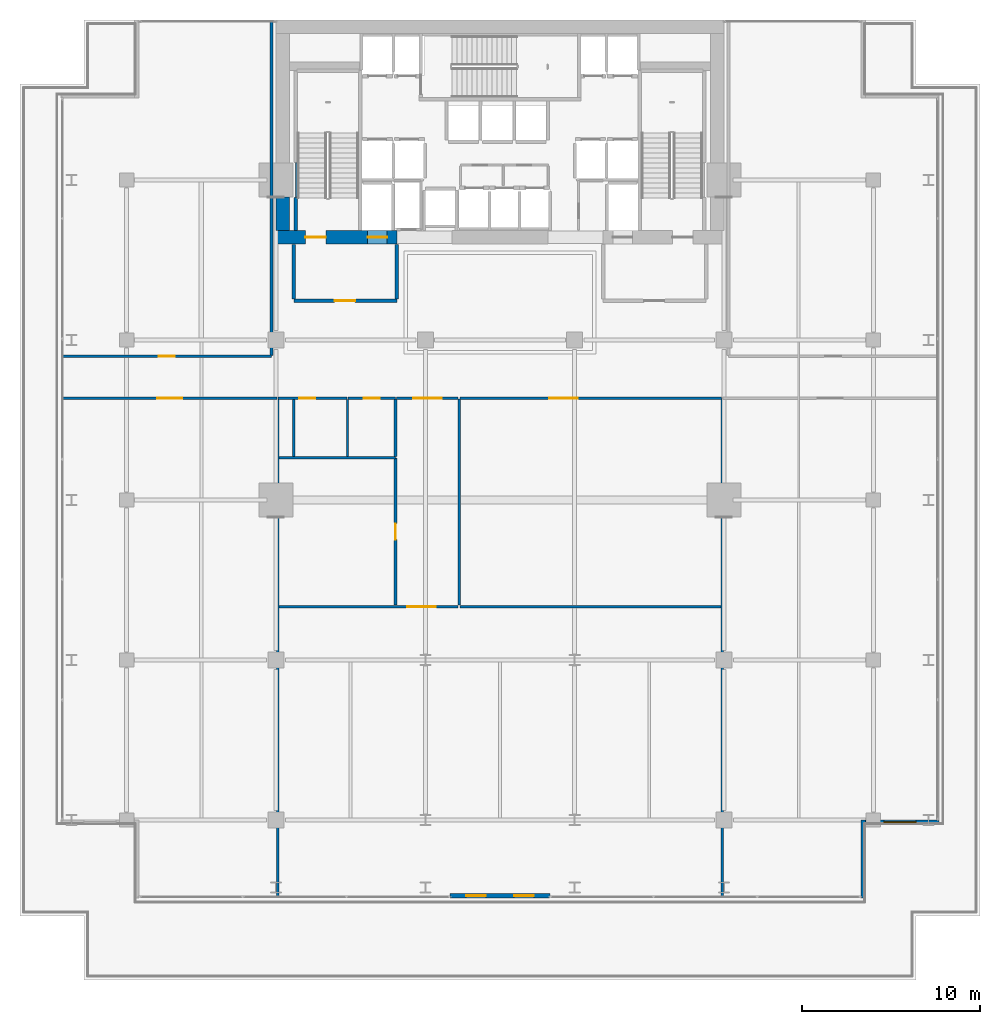
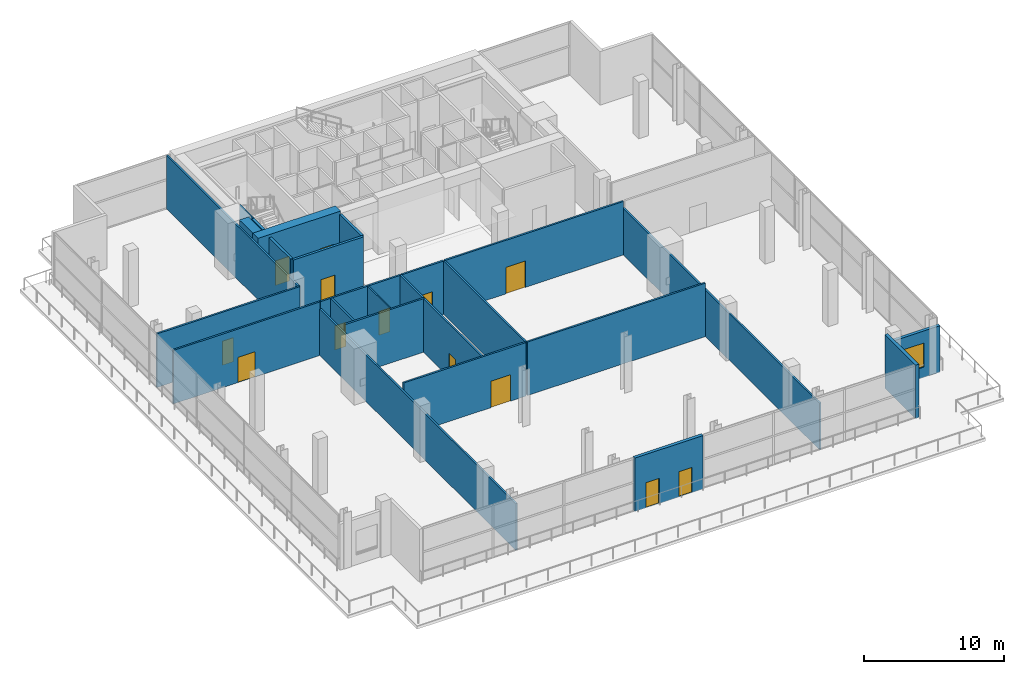
# One storey, part 24 of 31: 27 walls, 13 doors, 1 window, 14 openings.
"""IFC4 building model written with IfcOpenShell, lengths in metres."""

from ifc_helpers import new_model, si_unit, direction, frame, frame_2d, origin, place, context, subcontext, project, spatial, rectangle, extrude, material, layer, layer_set, type_object, element, fill, save


model = new_model("IFC4")

# Units and contexts
model_context = context("Model", 3, precision=1e-05, world=origin(), true_north=direction((0.0, 1.0)))
body_context = subcontext(model_context, "Body", "Model", "MODEL_VIEW")
ifc_project = project(units=[si_unit("LENGTHUNIT", "METRE"), si_unit("AREAUNIT", "SQUARE_METRE"), si_unit("VOLUMEUNIT", "CUBIC_METRE"), si_unit("PLANEANGLEUNIT", "RADIAN"), si_unit("MASSUNIT", "GRAM", prefix="KILO")], contexts=[model_context])

# Site, building, storey
site_placement = place(None, origin())
site = spatial("IfcSite", under=ifc_project, at=site_placement, CompositionType="ELEMENT")
building_placement = place(site_placement, origin())
building = spatial("IfcBuilding", under=site, at=building_placement, Name="Maruvema Waterfront Hotel and Observation Tower", CompositionType="ELEMENT")
storey_placement = place(building_placement, frame((0.0, 0.0, 122.5)))
storey = spatial("IfcBuildingStorey", under=building, at=storey_placement, Name="L29", CompositionType="ELEMENT", Elevation=122.5)

# Wall, opening, door
ifc_material_1 = material(Name="Twin-stud acoustic gypsum drywall", Category="gypsum")
ifc_layer_1 = layer(ifc_material_1, 0.14990234375, Name="Acoustic Corridor and Suite Demising Wall 150 mm")
ifc_layer_set_1 = layer_set([ifc_layer_1], Name="Twin-stud acoustic gypsum drywall")
wall_type_1 = type_object("IfcWallType", Name="Acoustic Corridor and Suite Demising Wall 150 mm", PredefinedType="PARTITIONING", material=ifc_layer_set_1)
wall_1_placement = place(storey_placement, frame((25.300048828125, 32.719970703125, 0.0), z_axis=(0.0, 0.0, 1.0), x_axis=(1.0, 0.0, 0.0)))
wall_1 = element("IfcWall", 1, at=wall_1_placement, inside=storey, type_object=wall_type_1, Name="L29 L29 Public WC North 017", PredefinedType="PARTITIONING", context=body_context, shape_type="SweptSolid", body=[
    extrude(rectangle(XDim=3.8798828125, YDim=0.14990234375, at=frame_2d((1.93994140625, 0.0))), origin(), (0.0, 0.0, 1.0), 4.659912109375),
])
opening_1_placement = place(wall_1_placement, frame((1.199951171875, 0.0, 0.0)))
opening_1 = element("IfcOpeningElement", 2, at=opening_1_placement, cuts=wall_1, Name="Opening DR-090", PredefinedType="OPENING", context=body_context, shape_type="SweptSolid", body=[
    extrude(rectangle(XDim=0.89990234375, YDim=2.10009765625, at=frame_2d((0.449951171875, 1.050048828125))), frame((0.0, 0.0849609375, 0.0), z_axis=(0.0, -1.0, 0.0), x_axis=(1.0, 0.0, 0.0)), (0.0, 0.0, 1.0), 0.169921875),
])
ifc_material_2 = material(Name="Solid-core lacquered timber leaf", Category="wood")
door_type_1 = type_object("IfcDoorType", Name="Accessible Toilet and Room Door 900x2100 mm", OperationType="NOTDEFINED", PredefinedType="DOOR", material=ifc_material_2)
door_1_placement = place(opening_1_placement, origin())
door_1 = element("IfcDoor", 3, at=door_1_placement, inside=storey, type_object=door_type_1, Name="L29 Public Toilet Door", OperationType="SINGLE_SWING_LEFT", OverallHeight=2.10009765625, OverallWidth=0.89990234375, PredefinedType="DOOR", context=body_context, shape_type="SweptSolid", body=[
    extrude(rectangle(XDim=0.89990234375, YDim=2.10009765625, at=frame_2d((0.449951171875, 1.050048828125))), frame((0.0, 0.02490234375, 0.0), z_axis=(0.0, -1.0, 0.0), x_axis=(1.0, 0.0, 0.0)), (0.0, 0.0, 1.0), 0.050048828125),
])
fill(opening_1, door_1)

wall_2_placement = place(storey_placement, frame((29.260009765625, 32.719970703125, 0.0), z_axis=(0.0, 0.0, 1.0), x_axis=(1.0, 0.0, 0.0)))
wall_2 = element("IfcWall", 4, at=wall_2_placement, inside=storey, type_object=wall_type_1, Name="L29 L29 Acc WC North 018", PredefinedType="PARTITIONING", context=body_context, shape_type="SweptSolid", body=[
    extrude(rectangle(XDim=2.659912109375, YDim=0.14990234375, at=frame_2d((1.330078125, 0.0))), origin(), (0.0, 0.0, 1.0), 4.659912109375),
])
opening_2_placement = place(wall_2_placement, frame((0.8798828125, 0.0, 0.0)))
opening_2 = element("IfcOpeningElement", 5, at=opening_2_placement, cuts=wall_2, Name="Opening DR-090", PredefinedType="OPENING", context=body_context, shape_type="SweptSolid", body=[
    extrude(rectangle(XDim=0.89990234375, YDim=2.10009765625, at=frame_2d((0.449951171875, 1.050048828125))), frame((0.0, 0.0849609375, 0.0), z_axis=(0.0, -1.0, 0.0), x_axis=(1.0, 0.0, 0.0)), (0.0, 0.0, 1.0), 0.169921875),
])
door_2_placement = place(opening_2_placement, origin())
door_2 = element("IfcDoor", 6, at=door_2_placement, inside=storey, type_object=door_type_1, Name="L29 Accessible WC Door", OperationType="SINGLE_SWING_RIGHT", OverallHeight=2.10009765625, OverallWidth=0.89990234375, PredefinedType="DOOR", context=body_context, shape_type="SweptSolid", body=[
    extrude(rectangle(XDim=0.89990234375, YDim=2.10009765625, at=frame_2d((0.449951171875, 1.050048828125))), frame((0.0, 0.02490234375, 0.0), z_axis=(0.0, -1.0, 0.0), x_axis=(1.0, 0.0, 0.0)), (0.0, 0.0, 1.0), 0.050048828125),
])
fill(opening_2, door_2)

# Walls
wall_3_placement = place(storey_placement, frame((25.3798828125, 29.3798828125, 0.0), z_axis=(0.0, 0.0, 1.0), x_axis=(1.0, 0.0, 0.0)))
element("IfcWall", 7, at=wall_3_placement, inside=storey, type_object=wall_type_1, Name="L29 L29 WC South 019", PredefinedType="PARTITIONING", context=body_context, shape_type="SweptSolid", body=[
    extrude(rectangle(XDim=6.5400390625, YDim=0.14990234375, at=frame_2d((3.27001953125, 0.0))), origin(), (0.0, 0.0, 1.0), 4.659912109375),
])
wall_4_placement = place(storey_placement, frame((26.199951171875, 29.4599609375, 0.0), z_axis=(0.0, 0.0, 1.0), x_axis=(0.0, 1.0, 0.0)))
element("IfcWall", 8, at=wall_4_placement, inside=storey, type_object=wall_type_1, Name="L29 L29 WC West 020", PredefinedType="PARTITIONING", context=body_context, shape_type="SweptSolid", body=[
    extrude(rectangle(XDim=3.179931640625, YDim=0.14990234375, at=frame_2d((1.58984375, 0.0))), origin(), (0.0, 0.0, 1.0), 4.659912109375),
])
wall_5_placement = place(storey_placement, frame((31.919921875, 29.4599609375, 0.0), z_axis=(0.0, 0.0, 1.0), x_axis=(0.0, 1.0, 0.0)))
element("IfcWall", 9, at=wall_5_placement, inside=storey, type_object=wall_type_1, Name="L29 L29 WC East 022", PredefinedType="PARTITIONING", context=body_context, shape_type="SweptSolid", body=[
    extrude(rectangle(XDim=3.219970703125, YDim=0.14990234375, at=frame_2d((1.60986328125, 0.0))), origin(), (0.0, 0.0, 1.0), 4.659912109375),
])

# Wall, opening, door
wall_6_placement = place(storey_placement, frame((25.3798828125, 21.0, 0.0), z_axis=(0.0, 0.0, 1.0), x_axis=(1.0, 0.0, 0.0)))
wall_6 = element("IfcWall", 10, at=wall_6_placement, inside=storey, type_object=wall_type_1, Name="L29 L29 Sky Lobby Vestibule South 023", PredefinedType="PARTITIONING", context=body_context, shape_type="SweptSolid", body=[
    extrude(rectangle(XDim=10.06005859375, YDim=0.14990234375, at=frame_2d((5.030029296875, 0.0))), origin(), (0.0, 0.0, 1.0), 4.659912109375),
])
opening_3_placement = place(wall_6_placement, frame((7.199951171875, 0.0, 0.0)))
opening_3 = element("IfcOpeningElement", 11, at=opening_3_placement, cuts=wall_6, Name="Opening DR-160", PredefinedType="OPENING", context=body_context, shape_type="SweptSolid", body=[
    extrude(rectangle(XDim=1.60009765625, YDim=2.300048828125, at=frame_2d((0.800048828125, 1.14990234375))), frame((0.0, 0.0849609375, 0.0), z_axis=(0.0, -1.0, 0.0), x_axis=(1.0, 0.0, 0.0)), (0.0, 0.0, 1.0), 0.169921875),
])
ifc_material_3 = material(Name="Acoustic veneered hardwood double leaf", Category="wood")
door_type_2 = type_object("IfcDoorType", Name="Ballroom and Lounge Double Door 1600x2300 mm", OperationType="DOUBLE_DOOR_SINGLE_SWING", PredefinedType="DOOR", material=ifc_material_3)
door_3_placement = place(opening_3_placement, origin())
door_3 = element("IfcDoor", 12, at=door_3_placement, inside=storey, type_object=door_type_2, Name="L29 L29 Sky Lobby Door", OperationType="DOUBLE_DOOR_SINGLE_SWING", OverallHeight=2.300048828125, OverallWidth=1.60009765625, PredefinedType="DOOR", context=body_context, shape_type="SweptSolid", body=[
    extrude(rectangle(XDim=1.60009765625, YDim=2.300048828125, at=frame_2d((0.800048828125, 1.14990234375))), frame((0.0, 0.02490234375, 0.0), z_axis=(0.0, -1.0, 0.0), x_axis=(1.0, 0.0, 0.0)), (0.0, 0.0, 1.0), 0.050048828125),
])
fill(opening_3, door_3)

# Walls
wall_7_placement = place(storey_placement, frame((35.56005859375, 21.0, 0.0), z_axis=(0.0, 0.0, 1.0), x_axis=(1.0, 0.0, 0.0)))
element("IfcWall", 13, at=wall_7_placement, inside=storey, type_object=wall_type_1, Name="L29 L29 Sky Lobby Split 024", PredefinedType="PARTITIONING", context=body_context, shape_type="SweptSolid", body=[
    extrude(rectangle(XDim=14.659912109375, YDim=0.14990234375, at=frame_2d((7.330078125, 0.0))), origin(), (0.0, 0.0, 1.0), 4.659912109375),
])
wall_8_placement = place(storey_placement, frame((35.5, 21.080078125, 0.0), z_axis=(0.0, 0.0, 1.0), x_axis=(0.0, 1.0, 0.0)))
element("IfcWall", 14, at=wall_8_placement, inside=storey, type_object=wall_type_1, Name="L29 L29 Vestibule East Wall 025", PredefinedType="PARTITIONING", context=body_context, shape_type="SweptSolid", body=[
    extrude(rectangle(XDim=11.599853515625, YDim=0.14990234375, at=frame_2d((5.7998046875, 0.0))), origin(), (0.0, 0.0, 1.0), 4.659912109375),
])

# Wall, opening, door
wall_9_placement = place(storey_placement, frame((31.919921875, 21.080078125, 0.0), z_axis=(0.0, 0.0, 1.0), x_axis=(0.0, 1.0, 0.0)))
wall_9 = element("IfcWall", 15, at=wall_9_placement, inside=storey, type_object=wall_type_1, Name="L29 L29 Valet East Wall 026", PredefinedType="PARTITIONING", context=body_context, shape_type="SweptSolid", body=[
    extrude(rectangle(XDim=8.280029296875, YDim=0.14990234375, at=frame_2d((4.14013671875, 0.0))), origin(), (0.0, 0.0, 1.0), 4.659912109375),
])
opening_4_placement = place(wall_9_placement, frame((3.68994140625, 0.0, 0.0)))
opening_4 = element("IfcOpeningElement", 16, at=opening_4_placement, cuts=wall_9, Name="Opening DR-090", PredefinedType="OPENING", context=body_context, shape_type="SweptSolid", body=[
    extrude(rectangle(XDim=0.89990234375, YDim=2.10009765625, at=frame_2d((0.449951171875, 1.050048828125))), frame((0.0, 0.0849609375, 0.0), z_axis=(0.0, -1.0, 0.0), x_axis=(1.0, 0.0, 0.0)), (0.0, 0.0, 1.0), 0.169921875),
])
door_4_placement = place(opening_4_placement, origin())
door_4 = element("IfcDoor", 17, at=door_4_placement, inside=storey, type_object=door_type_1, Name="L29 L29 Valet Room Door", OperationType="SINGLE_SWING_LEFT", OverallHeight=2.10009765625, OverallWidth=0.89990234375, PredefinedType="DOOR", context=body_context, shape_type="SweptSolid", body=[
    extrude(rectangle(XDim=0.89990234375, YDim=2.10009765625, at=frame_2d((0.449951171875, 1.050048828125))), frame((0.0, 0.02490234375, 0.0), z_axis=(0.0, -1.0, 0.0), x_axis=(1.0, 0.0, 0.0)), (0.0, 0.0, 1.0), 0.050048828125),
])
fill(opening_4, door_4)

wall_10_placement = place(storey_placement, frame((31.97998046875, 32.719970703125, 0.0), z_axis=(0.0, 0.0, 1.0), x_axis=(1.0, 0.0, 0.0)))
wall_10 = element("IfcWall", 18, at=wall_10_placement, inside=storey, type_object=wall_type_1, Name="L29 L29 Vestibule North 027", PredefinedType="PARTITIONING", context=body_context, shape_type="SweptSolid", body=[
    extrude(rectangle(XDim=3.4599609375, YDim=0.14990234375, at=frame_2d((1.72998046875, 0.0))), origin(), (0.0, 0.0, 1.0), 4.659912109375),
])
opening_5_placement = place(wall_10_placement, frame((0.929931640625, 0.0, 0.0)))
opening_5 = element("IfcOpeningElement", 19, at=opening_5_placement, cuts=wall_10, Name="Opening DR-160", PredefinedType="OPENING", context=body_context, shape_type="SweptSolid", body=[
    extrude(rectangle(XDim=1.60009765625, YDim=2.300048828125, at=frame_2d((0.800048828125, 1.14990234375))), frame((0.0, 0.0849609375, 0.0), z_axis=(0.0, -1.0, 0.0), x_axis=(1.0, 0.0, 0.0)), (0.0, 0.0, 1.0), 0.169921875),
])
door_5_placement = place(opening_5_placement, origin())
door_5 = element("IfcDoor", 20, at=door_5_placement, inside=storey, type_object=door_type_2, Name="L29 L29 Sky Vestibule Door", OperationType="DOUBLE_DOOR_SINGLE_SWING", OverallHeight=2.300048828125, OverallWidth=1.60009765625, PredefinedType="DOOR", context=body_context, shape_type="SweptSolid", body=[
    extrude(rectangle(XDim=1.60009765625, YDim=2.300048828125, at=frame_2d((0.800048828125, 1.14990234375))), frame((0.0, 0.02490234375, 0.0), z_axis=(0.0, -1.0, 0.0), x_axis=(1.0, 0.0, 0.0)), (0.0, 0.0, 1.0), 0.050048828125),
])
fill(opening_5, door_5)

wall_11_placement = place(storey_placement, frame((35.56005859375, 32.719970703125, 0.0), z_axis=(0.0, 0.0, 1.0), x_axis=(1.0, 0.0, 0.0)))
wall_11 = element("IfcWall", 21, at=wall_11_placement, inside=storey, type_object=wall_type_1, Name="L29 L29 Concierge North 028", PredefinedType="PARTITIONING", context=body_context, shape_type="SweptSolid", body=[
    extrude(rectangle(XDim=14.68994140625, YDim=0.14990234375, at=frame_2d((7.344970703125, 0.0))), origin(), (0.0, 0.0, 1.0), 4.659912109375),
])
opening_6_placement = place(wall_11_placement, frame((5.0, 0.0, 0.0)))
opening_6 = element("IfcOpeningElement", 22, at=opening_6_placement, cuts=wall_11, Name="Opening DR-160", PredefinedType="OPENING", context=body_context, shape_type="SweptSolid", body=[
    extrude(rectangle(XDim=1.60009765625, YDim=2.300048828125, at=frame_2d((0.800048828125, 1.14990234375))), frame((0.0, 0.0849609375, 0.0), z_axis=(0.0, -1.0, 0.0), x_axis=(1.0, 0.0, 0.0)), (0.0, 0.0, 1.0), 0.169921875),
])
door_6_placement = place(opening_6_placement, origin())
door_6 = element("IfcDoor", 23, at=door_6_placement, inside=storey, type_object=door_type_2, Name="L29 L29 Concierge Door", OperationType="DOUBLE_DOOR_SINGLE_SWING", OverallHeight=2.300048828125, OverallWidth=1.60009765625, PredefinedType="DOOR", context=body_context, shape_type="SweptSolid", body=[
    extrude(rectangle(XDim=1.60009765625, YDim=2.300048828125, at=frame_2d((0.800048828125, 1.14990234375))), frame((0.0, 0.02490234375, 0.0), z_axis=(0.0, -1.0, 0.0), x_axis=(1.0, 0.0, 0.0)), (0.0, 0.0, 1.0), 0.050048828125),
])
fill(opening_6, door_6)

wall_12_placement = place(storey_placement, frame((13.179931640625, 32.719970703125, 0.0), z_axis=(0.0, 0.0, 1.0), x_axis=(1.0, 0.0, 0.0)))
wall_12 = element("IfcWall", 24, at=wall_12_placement, inside=storey, type_object=wall_type_1, Name="L29 L29 Dining North 029", PredefinedType="PARTITIONING", context=body_context, shape_type="SweptSolid", body=[
    extrude(rectangle(XDim=12.070068359375, YDim=0.14990234375, at=frame_2d((6.03515625, 0.0))), origin(), (0.0, 0.0, 1.0), 4.659912109375),
])
opening_7_placement = place(wall_12_placement, frame((5.3349609375, 0.0, 0.0)))
opening_7 = element("IfcOpeningElement", 25, at=opening_7_placement, cuts=wall_12, Name="Opening DR-140", PredefinedType="OPENING", context=body_context, shape_type="SweptSolid", body=[
    extrude(rectangle(XDim=1.39990234375, YDim=2.199951171875, at=frame_2d((0.699951171875, 1.10009765625))), frame((0.0, 0.0849609375, 0.0), z_axis=(0.0, -1.0, 0.0), x_axis=(1.0, 0.0, 0.0)), (0.0, 0.0, 1.0), 0.169921875),
])
ifc_material_4 = material(Name="Anodised bronze framed acoustic glass leaf", Category="glass")
door_type_3 = type_object("IfcDoorType", Name="Conference and Restaurant Double Door 1400x2200 mm", OperationType="DOUBLE_DOOR_SINGLE_SWING", PredefinedType="DOOR", material=ifc_material_4)
door_7_placement = place(opening_7_placement, origin())
door_7 = element("IfcDoor", 26, at=door_7_placement, inside=storey, type_object=door_type_3, Name="L29 L29 Dining Door", OperationType="DOUBLE_DOOR_SINGLE_SWING", OverallHeight=2.199951171875, OverallWidth=1.39990234375, PredefinedType="DOOR", context=body_context, shape_type="SweptSolid", body=[
    extrude(rectangle(XDim=1.39990234375, YDim=2.199951171875, at=frame_2d((0.699951171875, 1.10009765625))), frame((0.0, 0.02490234375, 0.0), z_axis=(0.0, -1.0, 0.0), x_axis=(1.0, 0.0, 0.0)), (0.0, 0.0, 1.0), 0.050048828125),
])
fill(opening_7, door_7)

# Walls
for number, where, z_axis, x_axis, name in (
    (27, (25.300048828125, 4.679931640625, 0.0), (0.0, 0.0, 1.0), (0.0, 1.0, 0.0), "L29 L29 West Spine 031"),
    (28, (50.300048828125, 4.679931640625, 0.0), (0.0, 0.0, 1.0), (0.0, 1.0, 0.0), "L29 L29 East Spine 032"),
):
    element("IfcWall", number, at=place(storey_placement, frame(where, z_axis=z_axis, x_axis=x_axis)), inside=storey, type_object=wall_type_1, Name=name, PredefinedType="PARTITIONING", context=body_context, shape_type="SweptSolid", body=[
        extrude(rectangle(XDim=28.0400390625, YDim=0.14990234375, at=frame_2d((14.02001953125, 0.0))), origin(), (0.0, 0.0, 1.0), 4.048095703125),
    ])

# Wall, opening, door
wall_13_placement = place(storey_placement, frame((13.179931640625, 35.080078125, 0.0), z_axis=(0.0, 0.0, 1.0), x_axis=(1.0, 0.0, 0.0)))
wall_13 = element("IfcWall", 29, at=wall_13_placement, inside=storey, type_object=wall_type_1, Name="L29 L29 VIP Wall 033", PredefinedType="PARTITIONING", context=body_context, shape_type="SweptSolid", body=[
    extrude(rectangle(XDim=11.77001953125, YDim=0.14990234375, at=frame_2d((5.885009765625, 0.0))), origin(), (0.0, 0.0, 1.0), 4.659912109375),
])
opening_8_placement = place(wall_13_placement, frame((5.43505859375, 0.0, 0.0)))
opening_8 = element("IfcOpeningElement", 30, at=opening_8_placement, cuts=wall_13, Name="Opening DR-090", PredefinedType="OPENING", context=body_context, shape_type="SweptSolid", body=[
    extrude(rectangle(XDim=0.89990234375, YDim=2.10009765625, at=frame_2d((0.449951171875, 1.050048828125))), frame((0.0, 0.0849609375, 0.0), z_axis=(0.0, -1.0, 0.0), x_axis=(1.0, 0.0, 0.0)), (0.0, 0.0, 1.0), 0.169921875),
])
door_8_placement = place(opening_8_placement, frame((0.89990234375, 0.0, 0.0), z_axis=(0.0, 0.0, 1.0), x_axis=(-1.0, 0.0, 0.0)))
door_8 = element("IfcDoor", 31, at=door_8_placement, inside=storey, type_object=door_type_1, Name="L29 VIP Boardroom Door", OperationType="SINGLE_SWING_RIGHT", OverallHeight=2.10009765625, OverallWidth=0.89990234375, PredefinedType="DOOR", context=body_context, shape_type="SweptSolid", body=[
    extrude(rectangle(XDim=0.89990234375, YDim=2.10009765625, at=frame_2d((0.449951171875, 1.050048828125))), frame((0.0, 0.02490234375, 0.0), z_axis=(0.0, -1.0, 0.0), x_axis=(1.0, 0.0, 0.0)), (0.0, 0.0, 1.0), 0.050048828125),
])
fill(opening_8, door_8)

# Walls
wall_14_placement = place(storey_placement, frame((24.949951171875, 35.139892578125, 0.0), z_axis=(0.0, 0.0, 1.0), x_axis=(0.0, 1.0, 0.0)))
element("IfcWall", 32, at=wall_14_placement, inside=storey, type_object=wall_type_1, Name="L29 L29 VIP East 034", PredefinedType="PARTITIONING", context=body_context, shape_type="SweptSolid", body=[
    extrude(rectangle(XDim=18.780029296875, YDim=0.14990234375, at=frame_2d((9.39013671875, 0.0))), origin(), (0.0, 0.0, 1.0), 4.659912109375),
])
ifc_material_5 = material(Name="Precast concrete C45/55", Category="concrete")
ifc_layer_2 = layer(ifc_material_5, 0.199951171875, Name="Core Shaft and Stairwell Enclosure Wall 200 mm")
ifc_layer_set_2 = layer_set([ifc_layer_2], Name="Precast concrete C45/55")
wall_type_2 = type_object("IfcWallType", Name="Core Shaft and Stairwell Enclosure Wall 200 mm", PredefinedType="SOLIDWALL", material=ifc_layer_set_2)
wall_15_placement = place(storey_placement, frame((26.300048828125, 42.14990234375, 0.0), z_axis=(0.0, 0.0, 1.0), x_axis=(0.0, 1.0, 0.0)))
element("IfcWall", 33, at=wall_15_placement, inside=storey, type_object=wall_type_2, Name="L29 Stairwell ST-01 Shaft Lining Wall", PredefinedType="SOLIDWALL", context=body_context, shape_type="SweptSolid", body=[
    extrude(rectangle(XDim=1.8701171875, YDim=0.199951171875, at=frame_2d((0.93505859375, 0.0))), origin(), (0.0, 0.0, 1.0), 4.659912109375),
])

# Wall, openings, doors
ifc_material_6 = material(Name="Concrete C70/85", Category="concrete")
ifc_layer_3 = layer(ifc_material_6, 0.75, Name="Core Shear Wall 750 mm")
ifc_layer_set_3 = layer_set([ifc_layer_3], Name="Concrete C70/85")
wall_type_3 = type_object("IfcWallType", Name="Core Shear Wall 750 mm", PredefinedType="SHEAR", material=ifc_layer_set_3)
wall_16_placement = place(storey_placement, frame((25.199951171875, 41.77490234375, 0.0), z_axis=(0.0, 0.0, 1.0), x_axis=(1.0, 0.0, 0.0)))
wall_16 = element("IfcWall", 34, at=wall_16_placement, inside=storey, type_object=wall_type_3, Name="L29 South-West Core Shear Wall", PredefinedType="SHEAR", context=body_context, shape_type="SweptSolid", body=[
    extrude(rectangle(XDim=6.800048828125, YDim=0.75, at=frame_2d((3.39990234375, 0.0))), origin(), (0.0, 0.0, 1.0), 4.89990234375),
])
opening_9_placement = place(wall_16_placement, frame((1.64990234375, 0.0, 0.0)))
opening_9 = element("IfcOpeningElement", 35, at=opening_9_placement, cuts=wall_16, Name="Opening SD-01", PredefinedType="OPENING", context=body_context, shape_type="SweptSolid", body=[
    extrude(rectangle(XDim=1.14990234375, YDim=2.14990234375, at=frame_2d((0.574951171875, 1.074951171875))), frame((0.0, 0.385009765625, 0.0), z_axis=(0.0, -1.0, 0.0), x_axis=(1.0, 0.0, 0.0)), (0.0, 0.0, 1.0), 0.77001953125),
])
opening_10_placement = place(wall_16_placement, frame((5.14990234375, 0.0, 0.0)))
opening_10 = element("IfcOpeningElement", 36, at=opening_10_placement, cuts=wall_16, Name="Opening LD-03", PredefinedType="OPENING", context=body_context, shape_type="SweptSolid", body=[
    extrude(rectangle(XDim=1.10009765625, YDim=2.199951171875, at=frame_2d((0.550048828125, 1.10009765625))), frame((0.0, 0.385009765625, 0.0), z_axis=(0.0, -1.0, 0.0), x_axis=(1.0, 0.0, 0.0)), (0.0, 0.0, 1.0), 0.77001953125),
])
ifc_material_7 = material(Name="Fire-rated galvanised steel leaf", Category="steel")
door_type_4 = type_object("IfcDoorType", Name="Exit Stair Fire Door 1150x2150 mm", OperationType="NOTDEFINED", PredefinedType="DOOR", material=ifc_material_7)
door_9_placement = place(opening_9_placement, origin())
door_9 = element("IfcDoor", 37, at=door_9_placement, inside=storey, type_object=door_type_4, Name="L29 Exit Stair ST-01 Fire Door", OperationType="SINGLE_SWING_LEFT", OverallHeight=2.14990234375, OverallWidth=1.14990234375, PredefinedType="DOOR", context=body_context, shape_type="SweptSolid", body=[
    extrude(rectangle(XDim=1.14990234375, YDim=2.14990234375, at=frame_2d((0.574951171875, 1.074951171875))), frame((0.0, 0.02490234375, 0.0), z_axis=(0.0, -1.0, 0.0), x_axis=(1.0, 0.0, 0.0)), (0.0, 0.0, 1.0), 0.050048828125),
])
fill(opening_9, door_9)
ifc_material_8 = material(Name="Brushed stainless steel Grade 316", Category="steel")
door_type_5 = type_object("IfcDoorType", Name="Firefighting Lift Sliding Landing Door 1100x2200 mm", OperationType="SLIDING_TO_LEFT", PredefinedType="DOOR", material=ifc_material_8)
door_10_placement = place(opening_10_placement, frame((1.10009765625, 0.0, 0.0), z_axis=(0.0, 0.0, 1.0), x_axis=(-1.0, 0.0, 0.0)))
door_10 = element("IfcDoor", 38, at=door_10_placement, inside=storey, type_object=door_type_5, Name="L29 Firefighting Lift FL-01 Landing Door", OperationType="SLIDING_TO_LEFT", OverallHeight=2.199951171875, OverallWidth=1.10009765625, PredefinedType="DOOR", context=body_context, shape_type="SweptSolid", body=[
    extrude(rectangle(XDim=1.10009765625, YDim=2.199951171875, at=frame_2d((0.550048828125, 1.10009765625))), frame((0.0, 0.02490234375, 0.0), z_axis=(0.0, -1.0, 0.0), x_axis=(1.0, 0.0, 0.0)), (0.0, 0.0, 1.0), 0.050048828125),
])
fill(opening_10, door_10)

# Walls
wall_17_placement = place(storey_placement, frame((25.574951171875, 42.14990234375, 0.0), z_axis=(0.0, 0.0, 1.0), x_axis=(0.0, 1.0, 0.0)))
element("IfcWall", 39, at=wall_17_placement, inside=storey, type_object=wall_type_3, Name="L29 West-South Core Shear Wall", PredefinedType="SHEAR", context=body_context, shape_type="SweptSolid", body=[
    extrude(rectangle(XDim=1.900146484375, YDim=0.75, at=frame_2d((0.9501953125, 0.0))), origin(), (0.0, 0.0, 1.0), 4.89990234375),
])
ifc_material_9 = material(Name="Moisture-resistant cement-board drywall", Category="gypsum")
ifc_layer_4 = layer(ifc_material_9, 0.10009765625, Name="En-Suite Moisture-Resistant Partition 100 mm")
ifc_layer_set_4 = layer_set([ifc_layer_4], Name="Moisture-resistant cement-board drywall")
wall_type_4 = type_object("IfcWallType", Name="En-Suite Moisture-Resistant Partition 100 mm", PredefinedType="PARTITIONING", material=ifc_layer_set_4)
wall_18_placement = place(storey_placement, frame((29.219970703125, 29.4599609375, 0.0), z_axis=(0.0, 0.0, 1.0), x_axis=(0.0, 1.0, 0.0)))
element("IfcWall", 40, at=wall_18_placement, inside=storey, type_object=wall_type_4, Name="L29 L29 WC Split 021", PredefinedType="PARTITIONING", context=body_context, shape_type="SweptSolid", body=[
    extrude(rectangle(XDim=3.179931640625, YDim=0.10009765625, at=frame_2d((1.58984375, 0.0))), origin(), (0.0, 0.0, 1.0), 4.659912109375),
])
ifc_material_10 = material(Name="Precast concrete C45/55 with honed Pernambuco granite facing", Category="masonry")
ifc_layer_5 = layer(ifc_material_10, 0.260009765625, Name="Exterior Granite Clad Spandrel and Pier Wall 260 mm")
ifc_layer_set_5 = layer_set([ifc_layer_5], Name="Precast concrete C45/55 with honed Pernambuco granite facing")
wall_type_5 = type_object("IfcWallType", Name="Exterior Granite Clad Spandrel and Pier Wall 260 mm", PredefinedType="SOLIDWALL", material=ifc_layer_set_5)
wall_19_placement = place(storey_placement, frame((58.22998046875, 9.0, 0.0), z_axis=(0.0, 0.0, 1.0), x_axis=(0.0, -1.0, 0.0)))
element("IfcWall", 41, at=wall_19_placement, inside=storey, type_object=wall_type_5, Name="L29 Corner Notch Granite Pier Wall SE1", PredefinedType="SOLIDWALL", context=body_context, shape_type="SweptSolid", body=[
    extrude(rectangle(XDim=4.39990234375, YDim=0.260009765625, at=frame_2d((2.199951171875, 0.0))), origin(), (0.0, 0.0, 1.0), 4.659912109375),
])

# Wall, opening, window
wall_20_placement = place(storey_placement, frame((62.5, 8.8701171875, 0.0), z_axis=(0.0, 0.0, 1.0), x_axis=(-1.0, 0.0, 0.0)))
wall_20 = element("IfcWall", 42, at=wall_20_placement, inside=storey, type_object=wall_type_5, Name="L29 Corner Notch Granite Pier Wall SE2", PredefinedType="SOLIDWALL", context=body_context, shape_type="SweptSolid", body=[
    extrude(rectangle(XDim=4.39990234375, YDim=0.260009765625, at=frame_2d((2.199951171875, 0.0))), origin(), (0.0, 0.0, 1.0), 4.048095703125),
])
opening_11_placement = place(wall_20_placement, frame((1.300048828125, 0.0, 0.89990234375)))
opening_11 = element("IfcOpeningElement", 43, at=opening_11_placement, cuts=wall_20, Name="Opening WN-02", PredefinedType="OPENING", context=body_context, shape_type="SweptSolid", body=[
    extrude(rectangle(XDim=1.800048828125, YDim=2.10009765625, at=frame_2d((0.89990234375, 1.050048828125))), frame((0.0, 0.14013671875, 0.0), z_axis=(0.0, -1.0, 0.0), x_axis=(1.0, 0.0, 0.0)), (0.0, 0.0, 1.0), 0.280029296875),
])
ifc_material_11 = material(Name="Anodised bronze aluminium frame with laminated low-E glass", Category="aluminium")
window_type = type_object("IfcWindowType", Name="Upper Notch Feature Window 1800x2100 mm", PartitioningType="SINGLE_PANEL", PredefinedType="WINDOW", material=ifc_material_11)
window_placement = place(opening_11_placement, origin())
window = element("IfcWindow", 44, at=window_placement, inside=storey, type_object=window_type, Name="L29 Corner Notch Punched Window SE2", OverallHeight=2.10009765625, OverallWidth=1.800048828125, PartitioningType="SINGLE_PANEL", PredefinedType="WINDOW", context=body_context, shape_type="SweptSolid", body=[
    extrude(rectangle(XDim=1.800048828125, YDim=2.10009765625, at=frame_2d((0.89990234375, 1.050048828125))), frame((0.0, 0.030029296875, 0.0), z_axis=(0.0, -1.0, 0.0), x_axis=(1.0, 0.0, 0.0)), (0.0, 0.0, 1.0), 0.06005859375),
])
fill(opening_11, window)

# Wall, openings, doors
wall_21_placement = place(storey_placement, frame((40.60009765625, 4.72998046875, 0.0), z_axis=(0.0, 0.0, 1.0), x_axis=(-1.0, 0.0, 0.0)))
wall_21 = element("IfcWall", 45, at=wall_21_placement, inside=storey, type_object=wall_type_5, Name="L29 South Terrace Access Portal Wall", PredefinedType="SOLIDWALL", context=body_context, shape_type="SweptSolid", body=[
    extrude(rectangle(XDim=5.60009765625, YDim=0.260009765625, at=frame_2d((2.800048828125, 0.0))), origin(), (0.0, 0.0, 1.0), 4.659912109375),
])
opening_12_placement = place(wall_21_placement, frame((0.89990234375, 0.0, 0.0)))
opening_12 = element("IfcOpeningElement", 46, at=opening_12_placement, cuts=wall_21, Name="Opening TD-01", PredefinedType="OPENING", context=body_context, shape_type="SweptSolid", body=[
    extrude(rectangle(XDim=1.10009765625, YDim=2.199951171875, at=frame_2d((0.550048828125, 1.10009765625))), frame((0.0, 0.14013671875, 0.0), z_axis=(0.0, -1.0, 0.0), x_axis=(1.0, 0.0, 0.0)), (0.0, 0.0, 1.0), 0.280029296875),
])
opening_13_placement = place(wall_21_placement, frame((3.60009765625, 0.0, 0.0)))
opening_13 = element("IfcOpeningElement", 47, at=opening_13_placement, cuts=wall_21, Name="Opening TD-01", PredefinedType="OPENING", context=body_context, shape_type="SweptSolid", body=[
    extrude(rectangle(XDim=1.10009765625, YDim=2.199951171875, at=frame_2d((0.550048828125, 1.10009765625))), frame((0.0, 0.14013671875, 0.0), z_axis=(0.0, -1.0, 0.0), x_axis=(1.0, 0.0, 0.0)), (0.0, 0.0, 1.0), 0.280029296875),
])
ifc_material_12 = material(Name="Anodised bronze aluminium and laminated safety glass", Category="aluminium")
door_type_6 = type_object("IfcDoorType", Name="Setback Terrace Weatherproof Glazed Door 1100x2200 mm", OperationType="NOTDEFINED", PredefinedType="DOOR", material=ifc_material_12)
door_11_placement = place(opening_12_placement, origin())
door_11 = element("IfcDoor", 48, at=door_11_placement, inside=storey, type_object=door_type_6, Name="L29 Setback Terrace Door East", OperationType="SINGLE_SWING_LEFT", OverallHeight=2.199951171875, OverallWidth=1.10009765625, PredefinedType="DOOR", context=body_context, shape_type="SweptSolid", body=[
    extrude(rectangle(XDim=1.10009765625, YDim=2.199951171875, at=frame_2d((0.550048828125, 1.10009765625))), frame((0.0, 0.02490234375, 0.0), z_axis=(0.0, -1.0, 0.0), x_axis=(1.0, 0.0, 0.0)), (0.0, 0.0, 1.0), 0.050048828125),
])
fill(opening_12, door_11)
door_12_placement = place(opening_13_placement, origin())
door_12 = element("IfcDoor", 49, at=door_12_placement, inside=storey, type_object=door_type_6, Name="L29 Setback Terrace Door West", OperationType="SINGLE_SWING_RIGHT", OverallHeight=2.199951171875, OverallWidth=1.10009765625, PredefinedType="DOOR", context=body_context, shape_type="SweptSolid", body=[
    extrude(rectangle(XDim=1.10009765625, YDim=2.199951171875, at=frame_2d((0.550048828125, 1.10009765625))), frame((0.0, 0.02490234375, 0.0), z_axis=(0.0, -1.0, 0.0), x_axis=(1.0, 0.0, 0.0)), (0.0, 0.0, 1.0), 0.050048828125),
])
fill(opening_13, door_12)

# Wall, opening, door
ifc_material_13 = material(Name="Autoclaved cellular concrete blockwork", Category="masonry")
ifc_layer_6 = layer(ifc_material_13, 0.199951171875, Name="Fire Compartment Masonry Wall 200 mm")
ifc_layer_set_6 = layer_set([ifc_layer_6], Name="Autoclaved cellular concrete blockwork")
wall_type_6 = type_object("IfcWallType", Name="Fire Compartment Masonry Wall 200 mm", PredefinedType="PARTITIONING", material=ifc_layer_set_6)
wall_22_placement = place(storey_placement, frame((26.199951171875, 38.199951171875, 0.0), z_axis=(0.0, 0.0, 1.0), x_axis=(1.0, 0.0, 0.0)))
wall_22 = element("IfcWall", 50, at=wall_22_placement, inside=storey, type_object=wall_type_6, Name="L29 FFL West South Wall 001", PredefinedType="PARTITIONING", context=body_context, shape_type="SweptSolid", body=[
    extrude(rectangle(XDim=5.800048828125, YDim=0.199951171875, at=frame_2d((2.89990234375, 0.0))), origin(), (0.0, 0.0, 1.0), 4.659912109375),
])
opening_14_placement = place(wall_22_placement, frame((2.300048828125, 0.0, 0.0)))
opening_14 = element("IfcOpeningElement", 51, at=opening_14_placement, cuts=wall_22, Name="Opening FD-115", PredefinedType="OPENING", context=body_context, shape_type="SweptSolid", body=[
    extrude(rectangle(XDim=1.14990234375, YDim=2.14990234375, at=frame_2d((0.574951171875, 1.074951171875))), frame((0.0, 0.10986328125, 0.0), z_axis=(0.0, -1.0, 0.0), x_axis=(1.0, 0.0, 0.0)), (0.0, 0.0, 1.0), 0.219970703125),
])
ifc_material_14 = material(Name="Fire-rated galvanised steel and vision glass", Category="steel")
door_type_7 = type_object("IfcDoorType", Name="Firefighting Lobby Fire Door 1150x2150 mm", OperationType="NOTDEFINED", PredefinedType="DOOR", material=ifc_material_14)
door_13_placement = place(opening_14_placement, frame((1.14990234375, 0.0, 0.0), z_axis=(0.0, 0.0, 1.0), x_axis=(-1.0, 0.0, 0.0)))
door_13 = element("IfcDoor", 52, at=door_13_placement, inside=storey, type_object=door_type_7, Name="L29 Firefighting Lobby West Door", OperationType="SINGLE_SWING_LEFT", OverallHeight=2.14990234375, OverallWidth=1.14990234375, PredefinedType="DOOR", context=body_context, shape_type="SweptSolid", body=[
    extrude(rectangle(XDim=1.14990234375, YDim=2.14990234375, at=frame_2d((0.574951171875, 1.074951171875))), frame((0.0, 0.02490234375, 0.0), z_axis=(0.0, -1.0, 0.0), x_axis=(1.0, 0.0, 0.0)), (0.0, 0.0, 1.0), 0.050048828125),
])
fill(opening_14, door_13)

# Walls
for number, where, z_axis, x_axis, name in (
    (53, (26.199951171875, 38.31005859375, 0.0), (0.0, 0.0, 1.0), (0.0, 1.0, 0.0), "L29 FFL West West Wall 002"),
    (54, (32.0, 38.31005859375, 0.0), (0.0, 0.0, 1.0), (0.0, 1.0, 0.0), "L29 FFL West East Wall 003"),
):
    element("IfcWall", number, at=place(storey_placement, frame(where, z_axis=z_axis, x_axis=x_axis)), inside=storey, type_object=wall_type_6, Name=name, PredefinedType="PARTITIONING", context=body_context, shape_type="SweptSolid", body=[
        extrude(rectangle(XDim=3.06982421875, YDim=0.199951171875, at=frame_2d((1.534912109375, 0.0))), origin(), (0.0, 0.0, 1.0), 4.659912109375),
    ])
ifc_material_15 = material(Name="Precast concrete C45/55", Category="concrete")
ifc_layer_7 = layer(ifc_material_15, 0.10009765625, Name="Stairwell Stringer Cheek Wall 100 mm")
ifc_layer_set_7 = layer_set([ifc_layer_7], Name="Precast concrete C45/55")
wall_type_7 = type_object("IfcWallType", Name="Stairwell Stringer Cheek Wall 100 mm", PredefinedType="SOLIDWALL", material=ifc_layer_set_7)
wall_23_placement = place(storey_placement, frame((26.35205078125, 44.0400390625, 0.0), z_axis=(0.0, 0.0, 1.0), x_axis=(0.0, 1.0, 0.0)))
element("IfcWall", 55, at=wall_23_placement, inside=storey, type_object=wall_type_7, Name="L29 Stairwell ST-01 Mega-Column Cheek Wall", PredefinedType="SOLIDWALL", context=body_context, shape_type="SweptSolid", body=[
    extrude(rectangle(XDim=1.919921875, YDim=0.10009765625, at=frame_2d((0.9599609375, 0.0))), origin(), (0.0, 0.0, 1.0), 4.659912109375),
])

save(model, "model.ifc")
